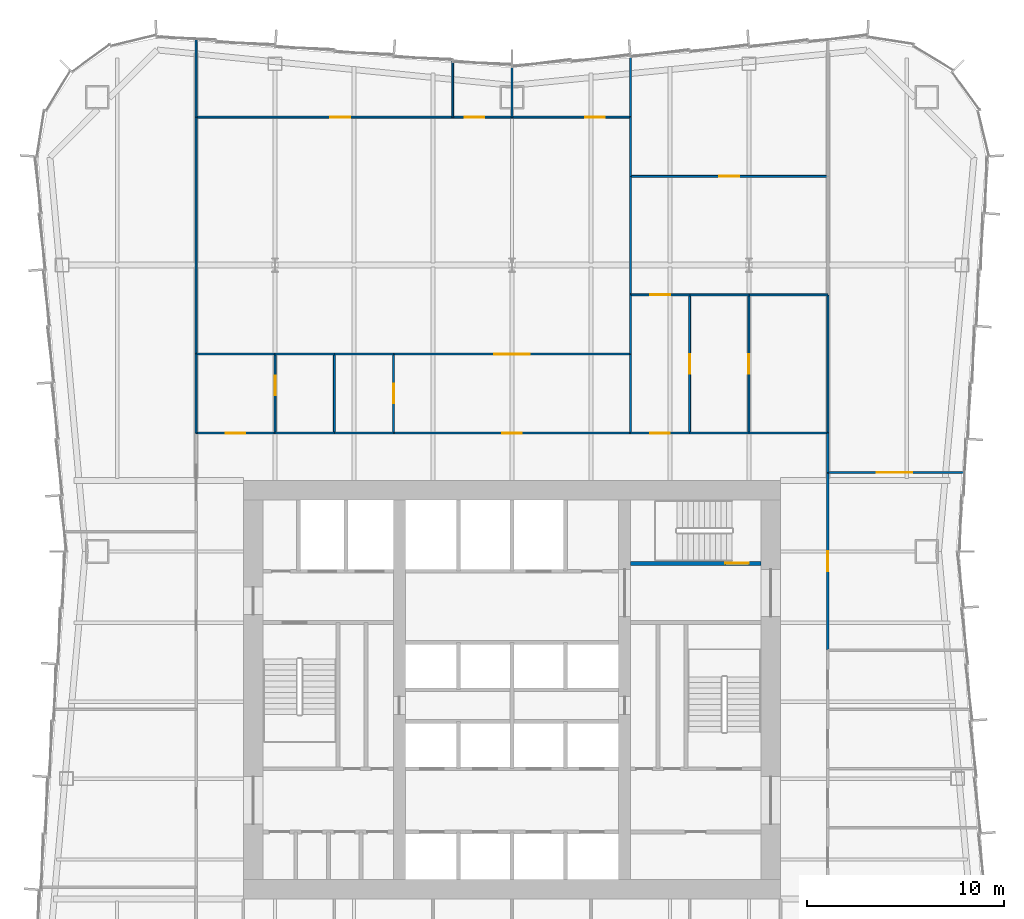
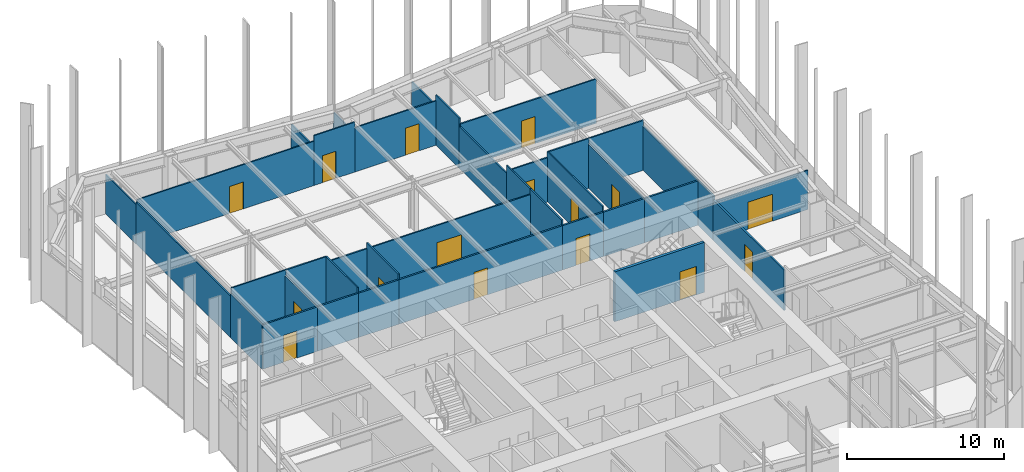
# One storey, part 12 of 14: 38 walls, 16 doors, 16 openings.
"""IFC4 building model written with IfcOpenShell, lengths in metres."""

from ifc_helpers import new_model, si_unit, direction, frame, frame_2d, origin, place, context, subcontext, project, spatial, rectangle, extrude, material, layer, layer_set, type_object, element, fill, save


model = new_model("IFC4")

# Units and contexts
model_context = context("Model", 3, precision=1e-05, world=origin(), true_north=direction((0.0, 1.0)))
body_context = subcontext(model_context, "Body", "Model", "MODEL_VIEW")
ifc_project = project(units=[si_unit("LENGTHUNIT", "METRE"), si_unit("AREAUNIT", "SQUARE_METRE"), si_unit("VOLUMEUNIT", "CUBIC_METRE"), si_unit("PLANEANGLEUNIT", "RADIAN"), si_unit("MASSUNIT", "GRAM", prefix="KILO")], contexts=[model_context])

# Site, building, storey
site_placement = place(None, origin())
site = spatial("IfcSite", under=ifc_project, at=site_placement, CompositionType="ELEMENT")
building_placement = place(site_placement, origin())
building = spatial("IfcBuilding", under=site, at=building_placement, Name="Verdant Reach Tower", CompositionType="ELEMENT")
storey_placement = place(building_placement, frame((0.0, 0.0, 150.0)))
storey = spatial("IfcBuildingStorey", under=building, at=storey_placement, Name="L34", CompositionType="ELEMENT", Elevation=150.0)

# Wall, opening, door
ifc_material_1 = material(Name="Concrete C40/50", Category="concrete")
ifc_layer_1 = layer(ifc_material_1, 0.199951171875)
ifc_layer_set_1 = layer_set([ifc_layer_1], Name="CO-WALL-STAIR")
wall_type_1 = type_object("IfcWallType", Name="CO-WALL-STAIR", PredefinedType="PARTITIONING", material=ifc_layer_set_1)
wall_1_placement = place(storey_placement, frame((6.0, 34.39990234375, 0.0), z_axis=(0.0, 0.0, 1.0), x_axis=(1.0, 0.0, 0.0)))
wall_1 = element("IfcWall", 1, at=wall_1_placement, inside=storey, type_object=wall_type_1, Name="Stair enclosure wall, L34", PredefinedType="PARTITIONING", context=body_context, shape_type="SweptSolid", body=[
    extrude(rectangle(XDim=6.60009765625, YDim=0.199951171875, at=frame_2d((3.300048828125, 0.0))), origin(), (0.0, 0.0, 1.0), 3.8701171875),
])
opening_1_placement = place(wall_1_placement, frame((4.800048828125, 0.0, 0.0)))
opening_1 = element("IfcOpeningElement", 2, at=opening_1_placement, cuts=wall_1, Name="Opening SD", PredefinedType="OPENING", context=body_context, shape_type="SweptSolid", body=[
    extrude(rectangle(XDim=1.199951171875, YDim=2.199951171875, at=frame_2d((0.60009765625, 1.10009765625))), frame((0.0, 0.10986328125, 0.0), z_axis=(0.0, -1.0, 0.0), x_axis=(1.0, 0.0, 0.0)), (0.0, 0.0, 1.0), 0.219970703125),
])
ifc_material_2 = material(Name="Steel", Category="steel")
door_type_1 = type_object("IfcDoorType", Name="CO-DOOR-STAIR", OperationType="NOTDEFINED", PredefinedType="DOOR", material=ifc_material_2)
door_1_placement = place(opening_1_placement, origin())
door_1 = element("IfcDoor", 3, at=door_1_placement, inside=storey, type_object=door_type_1, Name="Stair door, L34", OperationType="SINGLE_SWING_RIGHT", OverallHeight=2.199951171875, OverallWidth=1.199951171875, PredefinedType="DOOR", context=body_context, shape_type="SweptSolid", body=[
    extrude(rectangle(XDim=1.199951171875, YDim=2.199951171875, at=frame_2d((0.60009765625, 1.10009765625))), frame((0.0, 0.02490234375, 0.0), z_axis=(0.0, -1.0, 0.0), x_axis=(1.0, 0.0, 0.0)), (0.0, 0.0, 1.0), 0.050048828125),
])
fill(opening_1, door_1)

# Walls
ifc_material_3 = material(Name="Gypsum board on steel studs", Category="steel")
ifc_layer_2 = layer(ifc_material_3, 0.10009765625)
ifc_layer_set_2 = layer_set([ifc_layer_2], Name="FL-W1 Partition 100")
wall_type_2 = type_object("IfcWallType", Name="FL-W1 Partition 100", PredefinedType="PARTITIONING", material=ifc_layer_set_2)
wall_2_placement = place(storey_placement, frame((-16.0, 41.0, 0.0), z_axis=(0.0, 0.0, 1.0), x_axis=(0.0, 1.0, 0.0)))
element("IfcWall", 4, at=wall_2_placement, inside=storey, type_object=wall_type_2, Name="Partition 34.25", PredefinedType="PARTITIONING", context=body_context, shape_type="SweptSolid", body=[
    extrude(rectangle(XDim=4.0, YDim=0.10009765625, at=frame_2d((2.0, 0.0))), origin(), (0.0, 0.0, 1.0), 3.43994140625),
])
wall_3_placement = place(storey_placement, frame((-16.0, 45.0, 0.0), z_axis=(0.0, 0.0, 1.0), x_axis=(0.0, 1.0, 0.0)))
element("IfcWall", 5, at=wall_3_placement, inside=storey, type_object=wall_type_2, Name="Partition 34.26", PredefinedType="PARTITIONING", context=body_context, shape_type="SweptSolid", body=[
    extrude(rectangle(XDim=12.0, YDim=0.10009765625, at=frame_2d((6.0, 0.0))), origin(), (0.0, 0.0, 1.0), 3.239990234375),
])
wall_4_placement = place(storey_placement, frame((-16.0, 57.0, 0.0), z_axis=(0.0, 0.0, 1.0), x_axis=(0.0, 1.0, 0.0)))
element("IfcWall", 6, at=wall_4_placement, inside=storey, type_object=wall_type_2, Name="Partition 34.27", PredefinedType="PARTITIONING", context=body_context, shape_type="SweptSolid", body=[
    extrude(rectangle(XDim=3.913330078125, YDim=0.10009765625, at=frame_2d((1.95654296875, 0.0))), origin(), (0.0, 0.0, 1.0), 3.0400390625),
])

# Wall, opening, door
wall_5_placement = place(storey_placement, frame((16.0, 39.0, 0.0), z_axis=(0.0, 0.0, 1.0), x_axis=(1.0, 0.0, 0.0)))
wall_5 = element("IfcWall", 7, at=wall_5_placement, inside=storey, type_object=wall_type_2, Name="Partition 34.33", PredefinedType="PARTITIONING", context=body_context, shape_type="SweptSolid", body=[
    extrude(rectangle(XDim=6.8798828125, YDim=0.10009765625, at=frame_2d((3.43994140625, 0.0))), origin(), (0.0, 0.0, 1.0), 3.0400390625),
])
opening_2_placement = place(wall_5_placement, frame((2.474853515625, 0.0, 0.0)))
opening_2 = element("IfcOpeningElement", 8, at=opening_2_placement, cuts=wall_5, Name="Opening D5", PredefinedType="OPENING", context=body_context, shape_type="SweptSolid", body=[
    extrude(rectangle(XDim=1.800048828125, YDim=2.10009765625, at=frame_2d((0.89990234375, 1.050048828125))), frame((0.0, 0.06005859375, 0.0), z_axis=(0.0, -1.0, 0.0), x_axis=(1.0, 0.0, 0.0)), (0.0, 0.0, 1.0), 0.1201171875),
])
ifc_material_4 = material(Name="Painted timber door leaves", Category="wood")
door_type_2 = type_object("IfcDoorType", Name="FL-D5 Double door 1800x2100", OperationType="DOUBLE_DOOR_SINGLE_SWING", PredefinedType="DOOR", material=ifc_material_4)
door_2_placement = place(opening_2_placement, origin())
door_2 = element("IfcDoor", 9, at=door_2_placement, inside=storey, type_object=door_type_2, Name="Door 34-016", OperationType="DOUBLE_DOOR_SINGLE_SWING", OverallHeight=2.10009765625, OverallWidth=1.800048828125, PredefinedType="DOOR", context=body_context, shape_type="SweptSolid", body=[
    extrude(rectangle(XDim=1.800048828125, YDim=2.10009765625, at=frame_2d((0.89990234375, 1.050048828125))), frame((0.0, 0.02490234375, 0.0), z_axis=(0.0, -1.0, 0.0), x_axis=(1.0, 0.0, 0.0)), (0.0, 0.0, 1.0), 0.050048828125),
])
fill(opening_2, door_2)

# Wall
wall_6_placement = place(storey_placement, frame((16.0, 48.0, 0.0), z_axis=(0.0, 0.0, 1.0), x_axis=(0.0, -1.0, 0.0)))
element("IfcWall", 10, at=wall_6_placement, inside=storey, type_object=wall_type_2, Name="Partition 34.34", PredefinedType="PARTITIONING", context=body_context, shape_type="SweptSolid", body=[
    extrude(rectangle(XDim=7.0, YDim=0.10009765625, at=frame_2d((3.5, 0.0))), origin(), (0.0, 0.0, 1.0), 3.43994140625),
])

# Wall, opening, door
wall_7_placement = place(storey_placement, frame((-12.0, 45.0, 0.0), z_axis=(0.0, 0.0, 1.0), x_axis=(0.0, -1.0, 0.0)))
wall_7 = element("IfcWall", 11, at=wall_7_placement, inside=storey, type_object=wall_type_2, Name="Partition 34.44", PredefinedType="PARTITIONING", context=body_context, shape_type="SweptSolid", body=[
    extrude(rectangle(XDim=4.0, YDim=0.10009765625, at=frame_2d((2.0, 0.0))), origin(), (0.0, 0.0, 1.0), 3.43994140625),
])
opening_3_placement = place(wall_7_placement, frame((1.10009765625, 0.0, 0.0)))
opening_3 = element("IfcOpeningElement", 12, at=opening_3_placement, cuts=wall_7, Name="Opening D3", PredefinedType="OPENING", context=body_context, shape_type="SweptSolid", body=[
    extrude(rectangle(XDim=1.0, YDim=2.10009765625, at=frame_2d((0.5, 1.050048828125))), frame((0.0, 0.06005859375, 0.0), z_axis=(0.0, -1.0, 0.0), x_axis=(1.0, 0.0, 0.0)), (0.0, 0.0, 1.0), 0.1201171875),
])
ifc_material_5 = material(Name="Painted timber door leaf", Category="wood")
door_type_3 = type_object("IfcDoorType", Name="FL-D3 Door 1000x2100", OperationType="NOTDEFINED", PredefinedType="DOOR", material=ifc_material_5)
door_3_placement = place(opening_3_placement, origin())
door_3 = element("IfcDoor", 13, at=door_3_placement, inside=storey, type_object=door_type_3, Name="Door 34-022", OperationType="SINGLE_SWING_LEFT", OverallHeight=2.10009765625, OverallWidth=1.0, PredefinedType="DOOR", context=body_context, shape_type="SweptSolid", body=[
    extrude(rectangle(XDim=1.0, YDim=2.10009765625, at=frame_2d((0.5, 1.050048828125))), frame((0.0, 0.02490234375, 0.0), z_axis=(0.0, -1.0, 0.0), x_axis=(1.0, 0.0, 0.0)), (0.0, 0.0, 1.0), 0.050048828125),
])
fill(opening_3, door_3)

# Walls
wall_8_placement = place(storey_placement, frame((-11.99609375, 45.0, 0.0), z_axis=(0.0, 0.0, 1.0), x_axis=(-1.0, 0.0, 0.0)))
element("IfcWall", 14, at=wall_8_placement, inside=storey, type_object=wall_type_2, Name="Partition 34.45", PredefinedType="PARTITIONING", context=body_context, shape_type="SweptSolid", body=[
    extrude(rectangle(XDim=4.00390625, YDim=0.10009765625, at=frame_2d((2.001953125, 0.0))), origin(), (0.0, 0.0, 1.0), 3.8701171875),
])
wall_9_placement = place(storey_placement, frame((-9.0, 41.0, 0.0), z_axis=(0.0, 0.0, 1.0), x_axis=(0.0, 1.0, 0.0)))
element("IfcWall", 15, at=wall_9_placement, inside=storey, type_object=wall_type_2, Name="Partition 34.46", PredefinedType="PARTITIONING", context=body_context, shape_type="SweptSolid", body=[
    extrude(rectangle(XDim=4.0, YDim=0.10009765625, at=frame_2d((2.0, 0.0))), origin(), (0.0, 0.0, 1.0), 3.8701171875),
])
wall_10_placement = place(storey_placement, frame((-8.99609375, 45.0, 0.0), z_axis=(0.0, 0.0, 1.0), x_axis=(-1.0, 0.0, 0.0)))
element("IfcWall", 16, at=wall_10_placement, inside=storey, type_object=wall_type_2, Name="Partition 34.47", PredefinedType="PARTITIONING", context=body_context, shape_type="SweptSolid", body=[
    extrude(rectangle(XDim=3.0078125, YDim=0.10009765625, at=frame_2d((1.50390625, 0.0))), origin(), (0.0, 0.0, 1.0), 3.8701171875),
])

# Wall, opening, door
wall_11_placement = place(storey_placement, frame((-6.0, 41.0, 0.0), z_axis=(0.0, 0.0, 1.0), x_axis=(0.0, 1.0, 0.0)))
wall_11 = element("IfcWall", 17, at=wall_11_placement, inside=storey, type_object=wall_type_2, Name="Partition 34.48", PredefinedType="PARTITIONING", context=body_context, shape_type="SweptSolid", body=[
    extrude(rectangle(XDim=4.0, YDim=0.10009765625, at=frame_2d((2.0, 0.0))), origin(), (0.0, 0.0, 1.0), 3.8701171875),
])
opening_4_placement = place(wall_11_placement, frame((1.5, 0.0, 0.0)))
opening_4 = element("IfcOpeningElement", 18, at=opening_4_placement, cuts=wall_11, Name="Opening D3", PredefinedType="OPENING", context=body_context, shape_type="SweptSolid", body=[
    extrude(rectangle(XDim=1.0, YDim=2.10009765625, at=frame_2d((0.5, 1.050048828125))), frame((0.0, 0.06005859375, 0.0), z_axis=(0.0, -1.0, 0.0), x_axis=(1.0, 0.0, 0.0)), (0.0, 0.0, 1.0), 0.1201171875),
])
door_4_placement = place(opening_4_placement, origin())
door_4 = element("IfcDoor", 19, at=door_4_placement, inside=storey, type_object=door_type_3, Name="Door 34-023", OperationType="SINGLE_SWING_LEFT", OverallHeight=2.10009765625, OverallWidth=1.0, PredefinedType="DOOR", context=body_context, shape_type="SweptSolid", body=[
    extrude(rectangle(XDim=1.0, YDim=2.10009765625, at=frame_2d((0.5, 1.050048828125))), frame((0.0, 0.02490234375, 0.0), z_axis=(0.0, -1.0, 0.0), x_axis=(1.0, 0.0, 0.0)), (0.0, 0.0, 1.0), 0.050048828125),
])
fill(opening_4, door_4)

# Wall
wall_12_placement = place(storey_placement, frame((-5.99609375, 45.0, 0.0), z_axis=(0.0, 0.0, 1.0), x_axis=(-1.0, 0.0, 0.0)))
element("IfcWall", 20, at=wall_12_placement, inside=storey, type_object=wall_type_2, Name="Partition 34.49", PredefinedType="PARTITIONING", context=body_context, shape_type="SweptSolid", body=[
    extrude(rectangle(XDim=3.0078125, YDim=0.10009765625, at=frame_2d((1.50390625, 0.0))), origin(), (0.0, 0.0, 1.0), 3.43994140625),
])

# Wall, opening, door
wall_13_placement = place(storey_placement, frame((-6.00390625, 45.0, 0.0), z_axis=(0.0, 0.0, 1.0), x_axis=(1.0, 0.0, 0.0)))
wall_13 = element("IfcWall", 21, at=wall_13_placement, inside=storey, type_object=wall_type_2, Name="Partition 34.50", PredefinedType="PARTITIONING", context=body_context, shape_type="SweptSolid", body=[
    extrude(rectangle(XDim=12.00390625, YDim=0.10009765625, at=frame_2d((6.001953125, 0.0))), origin(), (0.0, 0.0, 1.0), 3.43994140625),
])
opening_5_placement = place(wall_13_placement, frame((5.10205078125, 0.0, 0.0)))
opening_5 = element("IfcOpeningElement", 22, at=opening_5_placement, cuts=wall_13, Name="Opening D5", PredefinedType="OPENING", context=body_context, shape_type="SweptSolid", body=[
    extrude(rectangle(XDim=1.800048828125, YDim=2.10009765625, at=frame_2d((0.89990234375, 1.050048828125))), frame((0.0, 0.06005859375, 0.0), z_axis=(0.0, -1.0, 0.0), x_axis=(1.0, 0.0, 0.0)), (0.0, 0.0, 1.0), 0.1201171875),
])
door_5_placement = place(opening_5_placement, origin())
door_5 = element("IfcDoor", 23, at=door_5_placement, inside=storey, type_object=door_type_2, Name="Door 34-024", OperationType="DOUBLE_DOOR_SINGLE_SWING", OverallHeight=2.10009765625, OverallWidth=1.800048828125, PredefinedType="DOOR", context=body_context, shape_type="SweptSolid", body=[
    extrude(rectangle(XDim=1.800048828125, YDim=2.10009765625, at=frame_2d((0.89990234375, 1.050048828125))), frame((0.0, 0.02490234375, 0.0), z_axis=(0.0, -1.0, 0.0), x_axis=(1.0, 0.0, 0.0)), (0.0, 0.0, 1.0), 0.050048828125),
])
fill(opening_5, door_5)

# Wall
wall_14_placement = place(storey_placement, frame((6.0, 41.0, 0.0), z_axis=(0.0, 0.0, 1.0), x_axis=(0.0, 1.0, 0.0)))
element("IfcWall", 24, at=wall_14_placement, inside=storey, type_object=wall_type_2, Name="Partition 34.51", PredefinedType="PARTITIONING", context=body_context, shape_type="SweptSolid", body=[
    extrude(rectangle(XDim=4.00390625, YDim=0.10009765625, at=frame_2d((2.001953125, 0.0))), origin(), (0.0, 0.0, 1.0), 3.8701171875),
])

# Wall, opening, door
wall_15_placement = place(storey_placement, frame((-16.0, 57.0, 0.0), z_axis=(0.0, 0.0, 1.0), x_axis=(1.0, 0.0, 0.0)))
wall_15 = element("IfcWall", 25, at=wall_15_placement, inside=storey, type_object=wall_type_2, Name="Partition 34.52", PredefinedType="PARTITIONING", context=body_context, shape_type="SweptSolid", body=[
    extrude(rectangle(XDim=13.0, YDim=0.10009765625, at=frame_2d((6.5, 0.0))), origin(), (0.0, 0.0, 1.0), 3.43994140625),
])
opening_6_placement = place(wall_15_placement, frame((6.800048828125, 0.0, 0.0)))
opening_6 = element("IfcOpeningElement", 26, at=opening_6_placement, cuts=wall_15, Name="Opening D3", PredefinedType="OPENING", context=body_context, shape_type="SweptSolid", body=[
    extrude(rectangle(XDim=1.0, YDim=2.10009765625, at=frame_2d((0.5, 1.050048828125))), frame((0.0, 0.06005859375, 0.0), z_axis=(0.0, -1.0, 0.0), x_axis=(1.0, 0.0, 0.0)), (0.0, 0.0, 1.0), 0.1201171875),
])
door_6_placement = place(opening_6_placement, origin())
door_6 = element("IfcDoor", 27, at=door_6_placement, inside=storey, type_object=door_type_3, Name="Door 34-025", OperationType="SINGLE_SWING_RIGHT", OverallHeight=2.10009765625, OverallWidth=1.0, PredefinedType="DOOR", context=body_context, shape_type="SweptSolid", body=[
    extrude(rectangle(XDim=1.0, YDim=2.10009765625, at=frame_2d((0.5, 1.050048828125))), frame((0.0, 0.02490234375, 0.0), z_axis=(0.0, -1.0, 0.0), x_axis=(1.0, 0.0, 0.0)), (0.0, 0.0, 1.0), 0.050048828125),
])
fill(opening_6, door_6)

wall_16_placement = place(storey_placement, frame((-3.0, 57.0, 0.0), z_axis=(0.0, 0.0, 1.0), x_axis=(1.0, 0.0, 0.0)))
wall_16 = element("IfcWall", 28, at=wall_16_placement, inside=storey, type_object=wall_type_2, Name="Partition 34.53", PredefinedType="PARTITIONING", context=body_context, shape_type="SweptSolid", body=[
    extrude(rectangle(XDim=3.0, YDim=0.10009765625, at=frame_2d((1.5, 0.0))), origin(), (0.0, 0.0, 1.0), 3.8701171875),
])
opening_7_placement = place(wall_16_placement, frame((0.60009765625, 0.0, 0.0)))
opening_7 = element("IfcOpeningElement", 29, at=opening_7_placement, cuts=wall_16, Name="Opening D3", PredefinedType="OPENING", context=body_context, shape_type="SweptSolid", body=[
    extrude(rectangle(XDim=1.0, YDim=2.10009765625, at=frame_2d((0.5, 1.050048828125))), frame((0.0, 0.06005859375, 0.0), z_axis=(0.0, -1.0, 0.0), x_axis=(1.0, 0.0, 0.0)), (0.0, 0.0, 1.0), 0.1201171875),
])
door_7_placement = place(opening_7_placement, origin())
door_7 = element("IfcDoor", 30, at=door_7_placement, inside=storey, type_object=door_type_3, Name="Door 34-026", OperationType="SINGLE_SWING_LEFT", OverallHeight=2.10009765625, OverallWidth=1.0, PredefinedType="DOOR", context=body_context, shape_type="SweptSolid", body=[
    extrude(rectangle(XDim=1.0, YDim=2.10009765625, at=frame_2d((0.5, 1.050048828125))), frame((0.0, 0.02490234375, 0.0), z_axis=(0.0, -1.0, 0.0), x_axis=(1.0, 0.0, 0.0)), (0.0, 0.0, 1.0), 0.050048828125),
])
fill(opening_7, door_7)

wall_17_placement = place(storey_placement, frame((0.0, 57.0, 0.0), z_axis=(0.0, 0.0, 1.0), x_axis=(1.0, 0.0, 0.0)))
wall_17 = element("IfcWall", 31, at=wall_17_placement, inside=storey, type_object=wall_type_2, Name="Partition 34.54", PredefinedType="PARTITIONING", context=body_context, shape_type="SweptSolid", body=[
    extrude(rectangle(XDim=6.0, YDim=0.10009765625, at=frame_2d((3.0, 0.0))), origin(), (0.0, 0.0, 1.0), 3.43994140625),
])
opening_8_placement = place(wall_17_placement, frame((3.699951171875, 0.0, 0.0)))
opening_8 = element("IfcOpeningElement", 32, at=opening_8_placement, cuts=wall_17, Name="Opening D3", PredefinedType="OPENING", context=body_context, shape_type="SweptSolid", body=[
    extrude(rectangle(XDim=1.0, YDim=2.10009765625, at=frame_2d((0.5, 1.050048828125))), frame((0.0, 0.06005859375, 0.0), z_axis=(0.0, -1.0, 0.0), x_axis=(1.0, 0.0, 0.0)), (0.0, 0.0, 1.0), 0.1201171875),
])
door_8_placement = place(opening_8_placement, origin())
door_8 = element("IfcDoor", 33, at=door_8_placement, inside=storey, type_object=door_type_3, Name="Door 34-027", OperationType="SINGLE_SWING_RIGHT", OverallHeight=2.10009765625, OverallWidth=1.0, PredefinedType="DOOR", context=body_context, shape_type="SweptSolid", body=[
    extrude(rectangle(XDim=1.0, YDim=2.10009765625, at=frame_2d((0.5, 1.050048828125))), frame((0.0, 0.02490234375, 0.0), z_axis=(0.0, -1.0, 0.0), x_axis=(1.0, 0.0, 0.0)), (0.0, 0.0, 1.0), 0.050048828125),
])
fill(opening_8, door_8)

# Walls
wall_18_placement = place(storey_placement, frame((6.0, 44.99609375, 0.0), z_axis=(0.0, 0.0, 1.0), x_axis=(0.0, 1.0, 0.0)))
element("IfcWall", 34, at=wall_18_placement, inside=storey, type_object=wall_type_2, Name="Partition 34.55", PredefinedType="PARTITIONING", context=body_context, shape_type="SweptSolid", body=[
    extrude(rectangle(XDim=3.00390625, YDim=0.10009765625, at=frame_2d((1.501953125, 0.0))), origin(), (0.0, 0.0, 1.0), 3.8701171875),
])
wall_19_placement = place(storey_placement, frame((6.0, 48.0, 0.0), z_axis=(0.0, 0.0, 1.0), x_axis=(0.0, 1.0, 0.0)))
element("IfcWall", 35, at=wall_19_placement, inside=storey, type_object=wall_type_2, Name="Partition 34.56", PredefinedType="PARTITIONING", context=body_context, shape_type="SweptSolid", body=[
    extrude(rectangle(XDim=6.0, YDim=0.10009765625, at=frame_2d((3.0, 0.0))), origin(), (0.0, 0.0, 1.0), 3.239990234375),
])
wall_20_placement = place(storey_placement, frame((6.0, 54.0, 0.0), z_axis=(0.0, 0.0, 1.0), x_axis=(0.0, 1.0, 0.0)))
element("IfcWall", 36, at=wall_20_placement, inside=storey, type_object=wall_type_2, Name="Partition 34.57", PredefinedType="PARTITIONING", context=body_context, shape_type="SweptSolid", body=[
    extrude(rectangle(XDim=3.00390625, YDim=0.10009765625, at=frame_2d((1.501953125, 0.0))), origin(), (0.0, 0.0, 1.0), 3.8701171875),
])
wall_21_placement = place(storey_placement, frame((-3.0, 57.0, 0.0), z_axis=(0.0, 0.0, 1.0), x_axis=(0.0, 1.0, 0.0)))
element("IfcWall", 37, at=wall_21_placement, inside=storey, type_object=wall_type_2, Name="Partition 34.58", PredefinedType="PARTITIONING", context=body_context, shape_type="SweptSolid", body=[
    extrude(rectangle(XDim=2.830078125, YDim=0.10009765625, at=frame_2d((1.4150390625, 0.0))), origin(), (0.0, 0.0, 1.0), 3.0400390625),
])
wall_22_placement = place(storey_placement, frame((0.0, 57.0, 0.0), z_axis=(0.0, 0.0, 1.0), x_axis=(0.0, 1.0, 0.0)))
element("IfcWall", 38, at=wall_22_placement, inside=storey, type_object=wall_type_2, Name="Partition 34.59", PredefinedType="PARTITIONING", context=body_context, shape_type="SweptSolid", body=[
    extrude(rectangle(XDim=2.580078125, YDim=0.10009765625, at=frame_2d((1.2900390625, 0.0))), origin(), (0.0, 0.0, 1.0), 3.0400390625),
])
wall_23_placement = place(storey_placement, frame((6.0, 56.99609375, 0.0), z_axis=(0.0, 0.0, 1.0), x_axis=(0.0, 1.0, 0.0)))
element("IfcWall", 39, at=wall_23_placement, inside=storey, type_object=wall_type_2, Name="Partition 34.60", PredefinedType="PARTITIONING", context=body_context, shape_type="SweptSolid", body=[
    extrude(rectangle(XDim=3.083984375, YDim=0.10009765625, at=frame_2d((1.5419921875, 0.0))), origin(), (0.0, 0.0, 1.0), 3.0400390625),
])

# Wall, opening, door
wall_24_placement = place(storey_placement, frame((9.0, 48.0, 0.0), z_axis=(0.0, 0.0, 1.0), x_axis=(0.0, -1.0, 0.0)))
wall_24 = element("IfcWall", 40, at=wall_24_placement, inside=storey, type_object=wall_type_2, Name="Partition 34.61", PredefinedType="PARTITIONING", context=body_context, shape_type="SweptSolid", body=[
    extrude(rectangle(XDim=7.0, YDim=0.10009765625, at=frame_2d((3.5, 0.0))), origin(), (0.0, 0.0, 1.0), 3.8701171875),
])
opening_9_placement = place(wall_24_placement, frame((3.0, 0.0, 0.0)))
opening_9 = element("IfcOpeningElement", 41, at=opening_9_placement, cuts=wall_24, Name="Opening D3", PredefinedType="OPENING", context=body_context, shape_type="SweptSolid", body=[
    extrude(rectangle(XDim=1.0, YDim=2.10009765625, at=frame_2d((0.5, 1.050048828125))), frame((0.0, 0.06005859375, 0.0), z_axis=(0.0, -1.0, 0.0), x_axis=(1.0, 0.0, 0.0)), (0.0, 0.0, 1.0), 0.1201171875),
])
door_9_placement = place(opening_9_placement, origin())
door_9 = element("IfcDoor", 42, at=door_9_placement, inside=storey, type_object=door_type_3, Name="Door 34-028", OperationType="SINGLE_SWING_RIGHT", OverallHeight=2.10009765625, OverallWidth=1.0, PredefinedType="DOOR", context=body_context, shape_type="SweptSolid", body=[
    extrude(rectangle(XDim=1.0, YDim=2.10009765625, at=frame_2d((0.5, 1.050048828125))), frame((0.0, 0.02490234375, 0.0), z_axis=(0.0, -1.0, 0.0), x_axis=(1.0, 0.0, 0.0)), (0.0, 0.0, 1.0), 0.050048828125),
])
fill(opening_9, door_9)

wall_25_placement = place(storey_placement, frame((6.0, 48.0, 0.0), z_axis=(0.0, 0.0, 1.0), x_axis=(1.0, 0.0, 0.0)))
wall_25 = element("IfcWall", 43, at=wall_25_placement, inside=storey, type_object=wall_type_2, Name="Partition 34.62", PredefinedType="PARTITIONING", context=body_context, shape_type="SweptSolid", body=[
    extrude(rectangle(XDim=3.00390625, YDim=0.10009765625, at=frame_2d((1.501953125, 0.0))), origin(), (0.0, 0.0, 1.0), 3.43994140625),
])
opening_10_placement = place(wall_25_placement, frame((1.001953125, 0.0, 0.0)))
opening_10 = element("IfcOpeningElement", 44, at=opening_10_placement, cuts=wall_25, Name="Opening D3", PredefinedType="OPENING", context=body_context, shape_type="SweptSolid", body=[
    extrude(rectangle(XDim=1.0, YDim=2.10009765625, at=frame_2d((0.5, 1.050048828125))), frame((0.0, 0.06005859375, 0.0), z_axis=(0.0, -1.0, 0.0), x_axis=(1.0, 0.0, 0.0)), (0.0, 0.0, 1.0), 0.1201171875),
])
door_10_placement = place(opening_10_placement, origin())
door_10 = element("IfcDoor", 45, at=door_10_placement, inside=storey, type_object=door_type_3, Name="Door 34-029", OperationType="SINGLE_SWING_LEFT", OverallHeight=2.10009765625, OverallWidth=1.0, PredefinedType="DOOR", context=body_context, shape_type="SweptSolid", body=[
    extrude(rectangle(XDim=1.0, YDim=2.10009765625, at=frame_2d((0.5, 1.050048828125))), frame((0.0, 0.02490234375, 0.0), z_axis=(0.0, -1.0, 0.0), x_axis=(1.0, 0.0, 0.0)), (0.0, 0.0, 1.0), 0.050048828125),
])
fill(opening_10, door_10)

wall_26_placement = place(storey_placement, frame((12.0, 48.0, 0.0), z_axis=(0.0, 0.0, 1.0), x_axis=(0.0, -1.0, 0.0)))
wall_26 = element("IfcWall", 46, at=wall_26_placement, inside=storey, type_object=wall_type_2, Name="Partition 34.63", PredefinedType="PARTITIONING", context=body_context, shape_type="SweptSolid", body=[
    extrude(rectangle(XDim=7.0, YDim=0.10009765625, at=frame_2d((3.5, 0.0))), origin(), (0.0, 0.0, 1.0), 3.43994140625),
])
opening_11_placement = place(wall_26_placement, frame((3.0, 0.0, 0.0)))
opening_11 = element("IfcOpeningElement", 47, at=opening_11_placement, cuts=wall_26, Name="Opening D3", PredefinedType="OPENING", context=body_context, shape_type="SweptSolid", body=[
    extrude(rectangle(XDim=1.0, YDim=2.10009765625, at=frame_2d((0.5, 1.050048828125))), frame((0.0, 0.06005859375, 0.0), z_axis=(0.0, -1.0, 0.0), x_axis=(1.0, 0.0, 0.0)), (0.0, 0.0, 1.0), 0.1201171875),
])
door_11_placement = place(opening_11_placement, origin())
door_11 = element("IfcDoor", 48, at=door_11_placement, inside=storey, type_object=door_type_3, Name="Door 34-030", OperationType="SINGLE_SWING_RIGHT", OverallHeight=2.10009765625, OverallWidth=1.0, PredefinedType="DOOR", context=body_context, shape_type="SweptSolid", body=[
    extrude(rectangle(XDim=1.0, YDim=2.10009765625, at=frame_2d((0.5, 1.050048828125))), frame((0.0, 0.02490234375, 0.0), z_axis=(0.0, -1.0, 0.0), x_axis=(1.0, 0.0, 0.0)), (0.0, 0.0, 1.0), 0.050048828125),
])
fill(opening_11, door_11)

# Walls
wall_27_placement = place(storey_placement, frame((12.00390625, 48.0, 0.0), z_axis=(0.0, 0.0, 1.0), x_axis=(-1.0, 0.0, 0.0)))
element("IfcWall", 49, at=wall_27_placement, inside=storey, type_object=wall_type_2, Name="Partition 34.64", PredefinedType="PARTITIONING", context=body_context, shape_type="SweptSolid", body=[
    extrude(rectangle(XDim=3.0078125, YDim=0.10009765625, at=frame_2d((1.50390625, 0.0))), origin(), (0.0, 0.0, 1.0), 3.8701171875),
])
wall_28_placement = place(storey_placement, frame((16.0, 48.0, 0.0), z_axis=(0.0, 0.0, 1.0), x_axis=(-1.0, 0.0, 0.0)))
element("IfcWall", 50, at=wall_28_placement, inside=storey, type_object=wall_type_2, Name="Partition 34.65", PredefinedType="PARTITIONING", context=body_context, shape_type="SweptSolid", body=[
    extrude(rectangle(XDim=4.00390625, YDim=0.10009765625, at=frame_2d((2.001953125, 0.0))), origin(), (0.0, 0.0, 1.0), 3.8701171875),
])

# Wall, opening, door
wall_29_placement = place(storey_placement, frame((6.0, 54.0, 0.0), z_axis=(0.0, 0.0, 1.0), x_axis=(1.0, 0.0, 0.0)))
wall_29 = element("IfcWall", 51, at=wall_29_placement, inside=storey, type_object=wall_type_2, Name="Partition 34.66", PredefinedType="PARTITIONING", context=body_context, shape_type="SweptSolid", body=[
    extrude(rectangle(XDim=10.0, YDim=0.10009765625, at=frame_2d((5.0, 0.0))), origin(), (0.0, 0.0, 1.0), 3.43994140625),
])
opening_12_placement = place(wall_29_placement, frame((4.5, 0.0, 0.0)))
opening_12 = element("IfcOpeningElement", 52, at=opening_12_placement, cuts=wall_29, Name="Opening D3", PredefinedType="OPENING", context=body_context, shape_type="SweptSolid", body=[
    extrude(rectangle(XDim=1.0, YDim=2.10009765625, at=frame_2d((0.5, 1.050048828125))), frame((0.0, 0.06005859375, 0.0), z_axis=(0.0, -1.0, 0.0), x_axis=(1.0, 0.0, 0.0)), (0.0, 0.0, 1.0), 0.1201171875),
])
door_12_placement = place(opening_12_placement, origin())
door_12 = element("IfcDoor", 53, at=door_12_placement, inside=storey, type_object=door_type_3, Name="Door 34-031", OperationType="SINGLE_SWING_LEFT", OverallHeight=2.10009765625, OverallWidth=1.0, PredefinedType="DOOR", context=body_context, shape_type="SweptSolid", body=[
    extrude(rectangle(XDim=1.0, YDim=2.10009765625, at=frame_2d((0.5, 1.050048828125))), frame((0.0, 0.02490234375, 0.0), z_axis=(0.0, -1.0, 0.0), x_axis=(1.0, 0.0, 0.0)), (0.0, 0.0, 1.0), 0.050048828125),
])
fill(opening_12, door_12)

ifc_material_6 = material(Name="Gypsum board on steel studs, fire rated", Category="steel")
ifc_layer_3 = layer(ifc_material_6, 0.125)
ifc_layer_set_3 = layer_set([ifc_layer_3], Name="FL-W2 Corridor wall 125")
wall_type_3 = type_object("IfcWallType", Name="FL-W2 Corridor wall 125", PredefinedType="PARTITIONING", material=ifc_layer_set_3)
wall_30_placement = place(storey_placement, frame((16.0, 39.0, 0.0), z_axis=(0.0, 0.0, 1.0), x_axis=(0.0, -1.0, 0.0)))
wall_30 = element("IfcWall", 54, at=wall_30_placement, inside=storey, type_object=wall_type_3, Name="Partition 34.10", PredefinedType="PARTITIONING", context=body_context, shape_type="SweptSolid", body=[
    extrude(rectangle(XDim=9.0, YDim=0.125, at=frame_2d((4.5, 0.0))), origin(), (0.0, 0.0, 1.0), 3.139892578125),
])
opening_13_placement = place(wall_30_placement, frame((4.0, 0.0, 0.0)))
opening_13 = element("IfcOpeningElement", 55, at=opening_13_placement, cuts=wall_30, Name="Opening D2", PredefinedType="OPENING", context=body_context, shape_type="SweptSolid", body=[
    extrude(rectangle(XDim=1.0, YDim=2.10009765625, at=frame_2d((0.5, 1.050048828125))), frame((0.0, 0.072509765625, 0.0), z_axis=(0.0, -1.0, 0.0), x_axis=(1.0, 0.0, 0.0)), (0.0, 0.0, 1.0), 0.14501953125),
])
ifc_material_7 = material(Name="Timber door leaf, fire rated", Category="wood")
door_type_4 = type_object("IfcDoorType", Name="FL-D2 Entrance door 1000x2100 FD30", OperationType="NOTDEFINED", PredefinedType="DOOR", material=ifc_material_7)
door_13_placement = place(opening_13_placement, origin())
door_13 = element("IfcDoor", 56, at=door_13_placement, inside=storey, type_object=door_type_4, Name="Door 34-010", OperationType="SINGLE_SWING_RIGHT", OverallHeight=2.10009765625, OverallWidth=1.0, PredefinedType="DOOR", context=body_context, shape_type="SweptSolid", body=[
    extrude(rectangle(XDim=1.0, YDim=2.10009765625, at=frame_2d((0.5, 1.050048828125))), frame((0.0, 0.02490234375, 0.0), z_axis=(0.0, -1.0, 0.0), x_axis=(1.0, 0.0, 0.0)), (0.0, 0.0, 1.0), 0.050048828125),
])
fill(opening_13, door_13)

# Wall
wall_31_placement = place(storey_placement, frame((16.0, 39.0, 0.0), z_axis=(0.0, 0.0, 1.0), x_axis=(0.0, 1.0, 0.0)))
element("IfcWall", 57, at=wall_31_placement, inside=storey, type_object=wall_type_3, Name="Partition 34.11", PredefinedType="PARTITIONING", context=body_context, shape_type="SweptSolid", body=[
    extrude(rectangle(XDim=2.00390625, YDim=0.125, at=frame_2d((1.001953125, 0.0))), origin(), (0.0, 0.0, 1.0), 3.43994140625),
])

# Wall, opening, door
wall_32_placement = place(storey_placement, frame((-16.0, 41.0, 0.0), z_axis=(0.0, 0.0, 1.0), x_axis=(1.0, 0.0, 0.0)))
wall_32 = element("IfcWall", 58, at=wall_32_placement, inside=storey, type_object=wall_type_3, Name="Partition 34.15", PredefinedType="PARTITIONING", context=body_context, shape_type="SweptSolid", body=[
    extrude(rectangle(XDim=4.0, YDim=0.125, at=frame_2d((2.0, 0.0))), origin(), (0.0, 0.0, 1.0), 3.43994140625),
])
opening_14_placement = place(wall_32_placement, frame((1.5, 0.0, 0.0)))
opening_14 = element("IfcOpeningElement", 59, at=opening_14_placement, cuts=wall_32, Name="Opening D2", PredefinedType="OPENING", context=body_context, shape_type="SweptSolid", body=[
    extrude(rectangle(XDim=1.0, YDim=2.10009765625, at=frame_2d((0.5, 1.050048828125))), frame((0.0, 0.072509765625, 0.0), z_axis=(0.0, -1.0, 0.0), x_axis=(1.0, 0.0, 0.0)), (0.0, 0.0, 1.0), 0.14501953125),
])
door_14_placement = place(opening_14_placement, origin())
door_14 = element("IfcDoor", 60, at=door_14_placement, inside=storey, type_object=door_type_4, Name="Door 34-013", OperationType="SINGLE_SWING_LEFT", OverallHeight=2.10009765625, OverallWidth=1.0, PredefinedType="DOOR", context=body_context, shape_type="SweptSolid", body=[
    extrude(rectangle(XDim=1.0, YDim=2.10009765625, at=frame_2d((0.5, 1.050048828125))), frame((0.0, 0.02490234375, 0.0), z_axis=(0.0, -1.0, 0.0), x_axis=(1.0, 0.0, 0.0)), (0.0, 0.0, 1.0), 0.050048828125),
])
fill(opening_14, door_14)

# Walls
for number, where, z_axis, x_axis, name in (
    (61, (-9.0, 41.0, 0.0), (0.0, 0.0, 1.0), (-1.0, 0.0, 0.0), "Partition 34.16"),
    (62, (-6.0, 41.0, 0.0), (0.0, 0.0, 1.0), (-1.0, 0.0, 0.0), "Partition 34.17"),
):
    element("IfcWall", number, at=place(storey_placement, frame(where, z_axis=z_axis, x_axis=x_axis)), inside=storey, type_object=wall_type_3, Name=name, PredefinedType="PARTITIONING", context=body_context, shape_type="SweptSolid", body=[
        extrude(rectangle(XDim=3.0, YDim=0.125, at=frame_2d((1.5, 0.0))), origin(), (0.0, 0.0, 1.0), 3.43994140625),
    ])

# Wall, opening, door
wall_33_placement = place(storey_placement, frame((-6.0, 41.0, 0.0), z_axis=(0.0, 0.0, 1.0), x_axis=(1.0, 0.0, 0.0)))
wall_33 = element("IfcWall", 63, at=wall_33_placement, inside=storey, type_object=wall_type_3, Name="Partition 34.18", PredefinedType="PARTITIONING", context=body_context, shape_type="SweptSolid", body=[
    extrude(rectangle(XDim=12.0, YDim=0.125, at=frame_2d((6.0, 0.0))), origin(), (0.0, 0.0, 1.0), 3.43994140625),
])
opening_15_placement = place(wall_33_placement, frame((5.5, 0.0, 0.0)))
opening_15 = element("IfcOpeningElement", 64, at=opening_15_placement, cuts=wall_33, Name="Opening D2", PredefinedType="OPENING", context=body_context, shape_type="SweptSolid", body=[
    extrude(rectangle(XDim=1.0, YDim=2.10009765625, at=frame_2d((0.5, 1.050048828125))), frame((0.0, 0.072509765625, 0.0), z_axis=(0.0, -1.0, 0.0), x_axis=(1.0, 0.0, 0.0)), (0.0, 0.0, 1.0), 0.14501953125),
])
door_15_placement = place(opening_15_placement, origin())
door_15 = element("IfcDoor", 65, at=door_15_placement, inside=storey, type_object=door_type_4, Name="Door 34-014", OperationType="SINGLE_SWING_RIGHT", OverallHeight=2.10009765625, OverallWidth=1.0, PredefinedType="DOOR", context=body_context, shape_type="SweptSolid", body=[
    extrude(rectangle(XDim=1.0, YDim=2.10009765625, at=frame_2d((0.5, 1.050048828125))), frame((0.0, 0.02490234375, 0.0), z_axis=(0.0, -1.0, 0.0), x_axis=(1.0, 0.0, 0.0)), (0.0, 0.0, 1.0), 0.050048828125),
])
fill(opening_15, door_15)

wall_34_placement = place(storey_placement, frame((6.0, 41.0, 0.0), z_axis=(0.0, 0.0, 1.0), x_axis=(1.0, 0.0, 0.0)))
wall_34 = element("IfcWall", 66, at=wall_34_placement, inside=storey, type_object=wall_type_3, Name="Partition 34.19", PredefinedType="PARTITIONING", context=body_context, shape_type="SweptSolid", body=[
    extrude(rectangle(XDim=3.0, YDim=0.125, at=frame_2d((1.5, 0.0))), origin(), (0.0, 0.0, 1.0), 3.43994140625),
])
opening_16_placement = place(wall_34_placement, frame((1.0, 0.0, 0.0)))
opening_16 = element("IfcOpeningElement", 67, at=opening_16_placement, cuts=wall_34, Name="Opening D2", PredefinedType="OPENING", context=body_context, shape_type="SweptSolid", body=[
    extrude(rectangle(XDim=1.0, YDim=2.10009765625, at=frame_2d((0.5, 1.050048828125))), frame((0.0, 0.072509765625, 0.0), z_axis=(0.0, -1.0, 0.0), x_axis=(1.0, 0.0, 0.0)), (0.0, 0.0, 1.0), 0.14501953125),
])
door_16_placement = place(opening_16_placement, origin())
door_16 = element("IfcDoor", 68, at=door_16_placement, inside=storey, type_object=door_type_4, Name="Door 34-015", OperationType="SINGLE_SWING_LEFT", OverallHeight=2.10009765625, OverallWidth=1.0, PredefinedType="DOOR", context=body_context, shape_type="SweptSolid", body=[
    extrude(rectangle(XDim=1.0, YDim=2.10009765625, at=frame_2d((0.5, 1.050048828125))), frame((0.0, 0.02490234375, 0.0), z_axis=(0.0, -1.0, 0.0), x_axis=(1.0, 0.0, 0.0)), (0.0, 0.0, 1.0), 0.050048828125),
])
fill(opening_16, door_16)

# Walls
wall_35_placement = place(storey_placement, frame((12.0, 41.0, 0.0), z_axis=(0.0, 0.0, 1.0), x_axis=(-1.0, 0.0, 0.0)))
element("IfcWall", 69, at=wall_35_placement, inside=storey, type_object=wall_type_3, Name="Partition 34.20", PredefinedType="PARTITIONING", context=body_context, shape_type="SweptSolid", body=[
    extrude(rectangle(XDim=3.0, YDim=0.125, at=frame_2d((1.5, 0.0))), origin(), (0.0, 0.0, 1.0), 3.43994140625),
])
wall_36_placement = place(storey_placement, frame((16.0, 41.0, 0.0), z_axis=(0.0, 0.0, 1.0), x_axis=(-1.0, 0.0, 0.0)))
element("IfcWall", 70, at=wall_36_placement, inside=storey, type_object=wall_type_3, Name="Partition 34.21", PredefinedType="PARTITIONING", context=body_context, shape_type="SweptSolid", body=[
    extrude(rectangle(XDim=4.0, YDim=0.125, at=frame_2d((2.0, 0.0))), origin(), (0.0, 0.0, 1.0), 3.43994140625),
])

save(model, "model.ifc")
